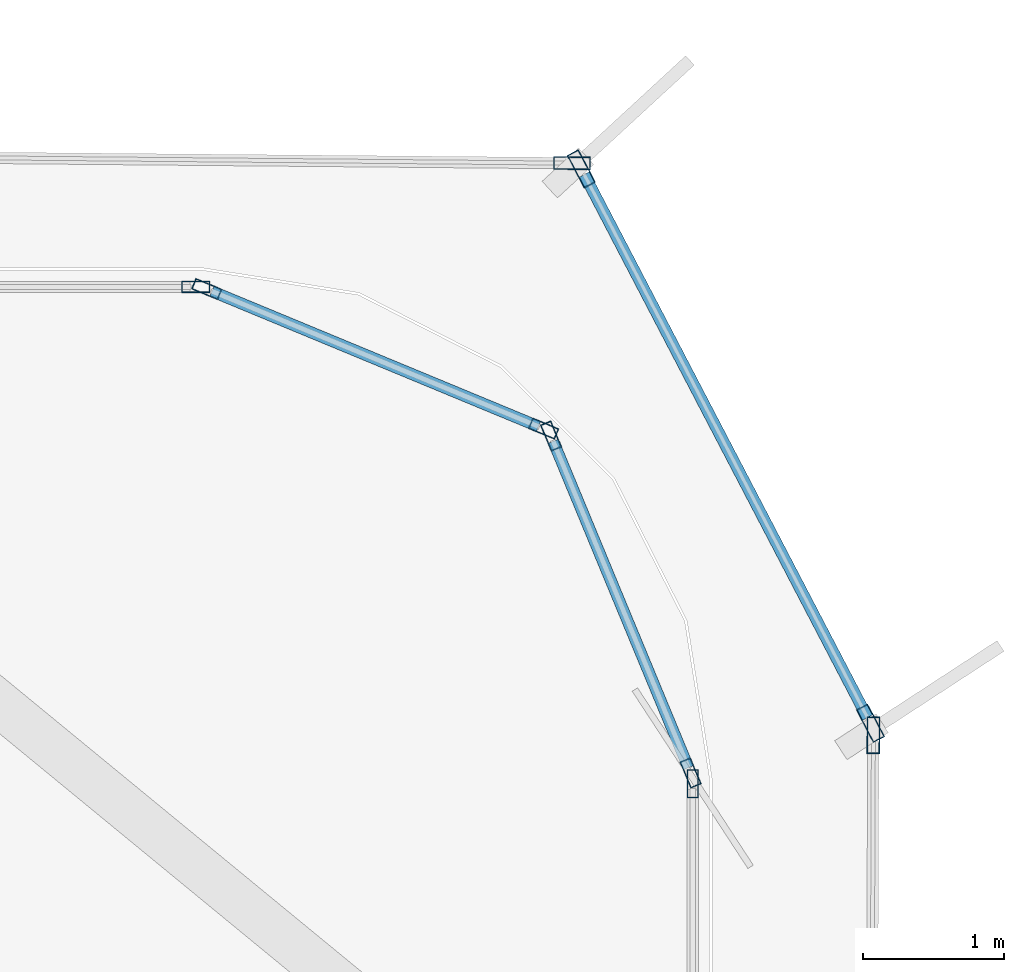
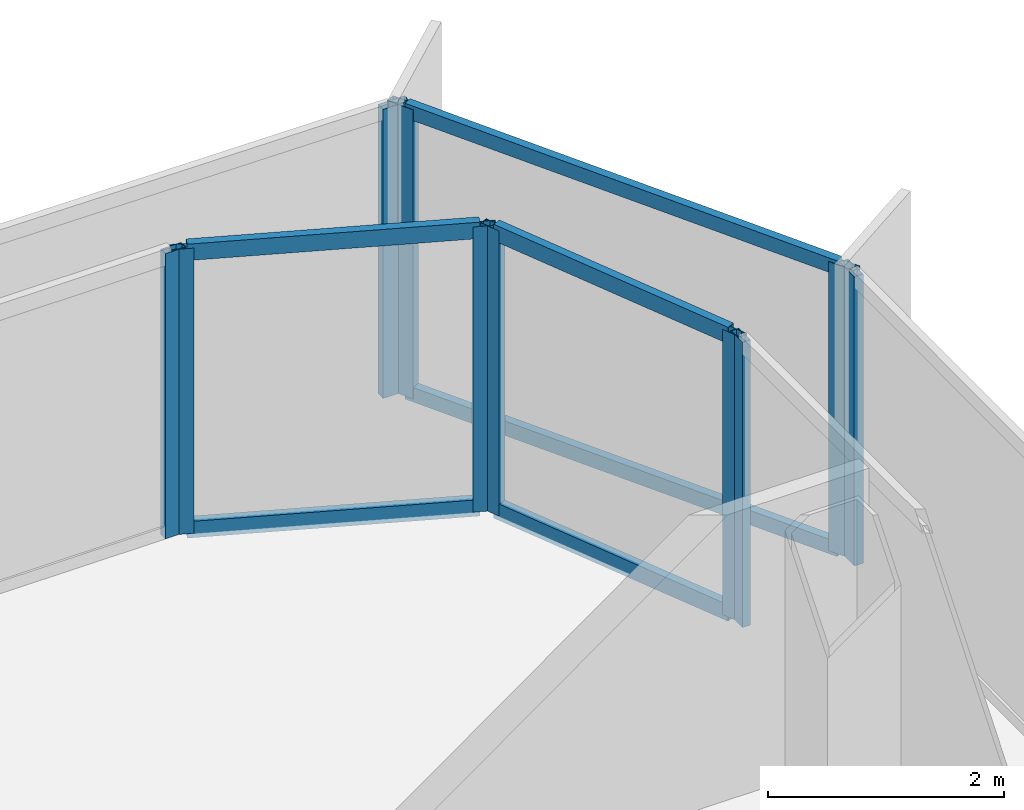
# One storey, part 8 of 15: 16 members, 7 elements without a shape of their own.
"""IFC4 building model written with IfcOpenShell, lengths in metres."""

from ifc_helpers import new_model, si_unit, direction, frame, origin, origin_2d, place, context, subcontext, project, spatial, hollow_rectangle, extrude, source, transform, mapped, material, layer, layer_set, material_profile, profile_set, type_object, element, aggregate, save


model = new_model("IFC4")

# Units and contexts
model_context = context("Model", 3, precision=1e-05, world=origin(), true_north=direction((0.0, 1.0)))
body_context = subcontext(model_context, "Body", "Model", "MODEL_VIEW")
ifc_project = project(units=[si_unit("LENGTHUNIT", "METRE"), si_unit("AREAUNIT", "SQUARE_METRE"), si_unit("VOLUMEUNIT", "CUBIC_METRE"), si_unit("PLANEANGLEUNIT", "RADIAN"), si_unit("MASSUNIT", "GRAM", prefix="KILO")], contexts=[model_context])

# Site, building, storey
site_placement = place(None, origin())
site = spatial("IfcSite", under=ifc_project, at=site_placement, CompositionType="ELEMENT")
building_placement = place(site_placement, origin())
building = spatial("IfcBuilding", under=site, at=building_placement, Name="Kolveth Station Tower", CompositionType="ELEMENT")
storey_placement = place(building_placement, frame((0.0, 0.0, 181.699951171875)))
storey = spatial("IfcBuildingStorey", under=building, at=storey_placement, Name="L51", CompositionType="ELEMENT", Elevation=181.699951171875)

# Curtain wall, member
ifc_material_1 = material(Name="Aluminium 6063-T6 and low-E dark glass", Category="aluminium")
ifc_layer_1 = layer(ifc_material_1, 0.18994140625)
ifc_layer_set_1 = layer_set([ifc_layer_1], Name="Aluminium 6063-T6 and low-E dark glass")
curtain_wall_type_1 = type_object("IfcCurtainWallType", Name="CurtainWall_CW-Z2", PredefinedType="NOTDEFINED", material=ifc_layer_set_1)
curtain_wall_1_placement = place(storey_placement, origin())
curtain_wall_1 = element("IfcCurtainWall", 1, at=curtain_wall_1_placement, inside=storey, type_object=curtain_wall_type_1, Name="L51 Inner Thermal Curtain Wall 3", PredefinedType="NOTDEFINED")
ifc_material_2 = material(Name="Black anodized aluminium 6063-T6", Category="aluminium")
ifc_material_profile_1 = material_profile(ifc_material_2, hollow_rectangle(XDim=0.080078125, YDim=0.199951171875, WallThickness=0.0048828125, at=origin_2d()), Name="ALU-80x200x5")
ifc_profile_set_1 = profile_set([ifc_material_profile_1], Name="Black anodized aluminium 6063-T6")
member_type_1 = type_object("IfcMemberType", Name="Mullion_ML2", PredefinedType="MULLION", material=ifc_profile_set_1)
shared_shape_1 = source(origin(), body_context, "Body", "SweptSolid", [
    extrude(hollow_rectangle(XDim=0.080078125, YDim=0.199951171875, WallThickness=0.0048828125, at=origin_2d()), origin(), (0.0, 0.0, 1.0), 2.949951171875),
])
member_1_placement = place(storey_placement, frame((41.679931640625, 31.659912109375, 0.0), z_axis=(0.0, 0.0, 1.0), x_axis=(-1.0, 0.0, 0.0)))
member_1 = element("IfcMember", 2, at=member_1_placement, type_object=member_type_1, Name="CW-Z2 mullion 2", PredefinedType="MULLION", context=body_context, shape_type="MappedRepresentation", body=[
    mapped(shared_shape_1, transform((0.0, 0.0, 0.0), x_axis=(1.0, 0.0, 0.0), y_axis=(0.0, 1.0, 0.0), z_axis=(0.0, 0.0, 1.0), scale=1.0)),
])
aggregate(curtain_wall_1, [member_1])

# Curtain wall, members
curtain_wall_2_placement = place(storey_placement, origin())
curtain_wall_2 = element("IfcCurtainWall", 3, at=curtain_wall_2_placement, inside=storey, type_object=curtain_wall_type_1, Name="L51 Inner Thermal Curtain Wall 4", PredefinedType="NOTDEFINED")
member_2_placement = place(storey_placement, frame((41.664794921875, 31.737060546875, 0.0), z_axis=(0.0, 0.0, 1.0), x_axis=(-0.923873600544, -0.382697753087, 0.0)))
member_2 = element("IfcMember", 4, at=member_2_placement, type_object=member_type_1, Name="CW-Z2 mullion 1", PredefinedType="MULLION", context=body_context, shape_type="MappedRepresentation", body=[
    mapped(shared_shape_1, transform((0.0, 0.0, 0.0), x_axis=(1.0, 0.0, 0.0), y_axis=(0.0, 1.0, 0.0), z_axis=(0.0, 0.0, 1.0), scale=1.0)),
])
member_3_placement = place(storey_placement, frame((40.676025390625, 34.123779296875, 0.0), z_axis=(0.0, 0.0, 1.0), x_axis=(-0.923873600544, -0.382697753087, 0.0)))
member_3 = element("IfcMember", 5, at=member_3_placement, type_object=member_type_1, Name="CW-Z2 mullion 2", PredefinedType="MULLION", context=body_context, shape_type="MappedRepresentation", body=[
    mapped(shared_shape_1, transform((0.0, 0.0, 0.0), x_axis=(1.0, 0.0, 0.0), y_axis=(0.0, 1.0, 0.0), z_axis=(0.0, 0.0, 1.0), scale=1.0)),
])

curtain_wall_3_placement = place(storey_placement, origin())
curtain_wall_3 = element("IfcCurtainWall", 6, at=curtain_wall_3_placement, inside=storey, type_object=curtain_wall_type_1, Name="L51 Inner Thermal Curtain Wall 5", PredefinedType="NOTDEFINED")
member_4_placement = place(storey_placement, frame((40.623779296875, 34.176025390625, 0.0), z_axis=(0.0, 0.0, 1.0), x_axis=(-0.382697753087, -0.923873600544, 0.0)))
member_4 = element("IfcMember", 7, at=member_4_placement, type_object=member_type_1, Name="CW-Z2 mullion 1", PredefinedType="MULLION", context=body_context, shape_type="MappedRepresentation", body=[
    mapped(shared_shape_1, transform((0.0, 0.0, 0.0), x_axis=(1.0, 0.0, 0.0), y_axis=(0.0, 1.0, 0.0), z_axis=(0.0, 0.0, 1.0), scale=1.0)),
])
member_5_placement = place(storey_placement, frame((38.237060546875, 35.164794921875, 0.0), z_axis=(0.0, 0.0, 1.0), x_axis=(-0.382697753087, -0.923873600544, 0.0)))
member_5 = element("IfcMember", 8, at=member_5_placement, type_object=member_type_1, Name="CW-Z2 mullion 2", PredefinedType="MULLION", context=body_context, shape_type="MappedRepresentation", body=[
    mapped(shared_shape_1, transform((0.0, 0.0, 0.0), x_axis=(1.0, 0.0, 0.0), y_axis=(0.0, 1.0, 0.0), z_axis=(0.0, 0.0, 1.0), scale=1.0)),
])

# Curtain wall, member
curtain_wall_4_placement = place(storey_placement, origin())
curtain_wall_4 = element("IfcCurtainWall", 9, at=curtain_wall_4_placement, inside=storey, type_object=curtain_wall_type_1, Name="L51 Inner Thermal Curtain Wall 6", PredefinedType="NOTDEFINED")
member_6_placement = place(storey_placement, frame((38.159912109375, 35.179931640625, 0.0), z_axis=(0.0, 0.0, 1.0), x_axis=(0.0, -1.0, 0.0)))
member_6 = element("IfcMember", 10, at=member_6_placement, type_object=member_type_1, Name="CW-Z2 mullion 1", PredefinedType="MULLION", context=body_context, shape_type="MappedRepresentation", body=[
    mapped(shared_shape_1, transform((0.0, 0.0, 0.0), x_axis=(1.0, 0.0, 0.0), y_axis=(0.0, 1.0, 0.0), z_axis=(0.0, 0.0, 1.0), scale=1.0)),
])
aggregate(curtain_wall_4, [member_6])

ifc_material_3 = material(Name="Black anodized aluminium 6063-T6 and dark solar glass", Category="aluminium")
ifc_layer_2 = layer(ifc_material_3, 0.159912109375)
ifc_layer_set_2 = layer_set([ifc_layer_2], Name="Black anodized aluminium 6063-T6 and dark solar glass")
curtain_wall_type_2 = type_object("IfcCurtainWallType", Name="OUTER SKIN CW-OS", PredefinedType="NOTDEFINED", material=ifc_layer_set_2)
curtain_wall_5_placement = place(storey_placement, origin())
curtain_wall_5 = element("IfcCurtainWall", 11, at=curtain_wall_5_placement, inside=storey, type_object=curtain_wall_type_2, Name="L51 Outer Ventilated Skin Curtain Wall 2", PredefinedType="NOTDEFINED")
ifc_material_profile_2 = material_profile(ifc_material_2, hollow_rectangle(XDim=0.090087890625, YDim=0.260009765625, WallThickness=0.0048828125, at=origin_2d()), Name="ALU-90x260x5")
ifc_profile_set_2 = profile_set([ifc_material_profile_2], Name="Black anodized aluminium 6063-T6")
member_type_2 = type_object("IfcMemberType", Name="FIN MULLION ML-OS", PredefinedType="MULLION", material=ifc_profile_set_2)
shared_shape_2 = source(origin(), body_context, "Body", "SweptSolid", [
    extrude(hollow_rectangle(XDim=0.090087890625, YDim=0.260009765625, WallThickness=0.0048828125, at=origin_2d()), origin(), (0.0, 0.0, 1.0), 2.989990234375),
])
member_7_placement = place(storey_placement, frame((42.95947265625, 32.004150390625, 0.0), z_axis=(0.0, 0.0, 1.0), x_axis=(-0.999992034681, 0.003991312288, 0.0)))
member_7 = element("IfcMember", 12, at=member_7_placement, type_object=member_type_2, Name="CW-OS mullion 2", PredefinedType="MULLION", context=body_context, shape_type="MappedRepresentation", body=[
    mapped(shared_shape_2, transform((0.0, 0.0, 0.0), x_axis=(1.0, 0.0, 0.0), y_axis=(0.0, 1.0, 0.0), z_axis=(0.0, 0.0, 1.0), scale=1.0)),
])
aggregate(curtain_wall_5, [member_7])

# Curtain wall, members
curtain_wall_6_placement = place(storey_placement, origin())
curtain_wall_6 = element("IfcCurtainWall", 13, at=curtain_wall_6_placement, inside=storey, type_object=curtain_wall_type_2, Name="L51 Outer Ventilated Skin Curtain Wall 3", PredefinedType="NOTDEFINED")
member_8_placement = place(storey_placement, frame((42.93896484375, 32.089111328125, 0.0), z_axis=(0.0, 0.0, 1.0), x_axis=(-0.886662953078, -0.462416270951, 0.0)))
member_8 = element("IfcMember", 14, at=member_8_placement, type_object=member_type_2, Name="CW-OS mullion 1", PredefinedType="MULLION", context=body_context, shape_type="MappedRepresentation", body=[
    mapped(shared_shape_2, transform((0.0, 0.0, 0.0), x_axis=(1.0, 0.0, 0.0), y_axis=(0.0, 1.0, 0.0), z_axis=(0.0, 0.0, 1.0), scale=1.0)),
])
member_9_placement = place(storey_placement, frame((40.890625, 36.016357421875, 0.0), z_axis=(0.0, 0.0, 1.0), x_axis=(-0.886662953078, -0.462416270951, 0.0)))
member_9 = element("IfcMember", 15, at=member_9_placement, type_object=member_type_2, Name="CW-OS mullion 2", PredefinedType="MULLION", context=body_context, shape_type="MappedRepresentation", body=[
    mapped(shared_shape_2, transform((0.0, 0.0, 0.0), x_axis=(1.0, 0.0, 0.0), y_axis=(0.0, 1.0, 0.0), z_axis=(0.0, 0.0, 1.0), scale=1.0)),
])

# Curtain wall, member
curtain_wall_7_placement = place(storey_placement, origin())
curtain_wall_7 = element("IfcCurtainWall", 16, at=curtain_wall_7_placement, inside=storey, type_object=curtain_wall_type_2, Name="L51 Outer Ventilated Skin Curtain Wall 4", PredefinedType="NOTDEFINED")
member_10_placement = place(storey_placement, frame((40.824951171875, 36.056640625, 0.0), z_axis=(0.0, 0.0, 1.0), x_axis=(-0.009075962941, -0.9999588126, 0.0)))
member_10 = element("IfcMember", 17, at=member_10_placement, type_object=member_type_2, Name="CW-OS mullion 1", PredefinedType="MULLION", context=body_context, shape_type="MappedRepresentation", body=[
    mapped(shared_shape_2, transform((0.0, 0.0, 0.0), x_axis=(1.0, 0.0, 0.0), y_axis=(0.0, 1.0, 0.0), z_axis=(0.0, 0.0, 1.0), scale=1.0)),
])
aggregate(curtain_wall_7, [member_10])

# Member
ifc_material_profile_3 = material_profile(ifc_material_2, hollow_rectangle(XDim=0.080078125, YDim=0.169921875, WallThickness=0.0048828125, at=origin_2d()), Name="ALU-80x170x5")
ifc_profile_set_3 = profile_set([ifc_material_profile_3], Name="Black anodized aluminium 6063-T6")
member_type_3 = type_object("IfcMemberType", Name="Transom_TR2", PredefinedType="USERDEFINED", material=ifc_profile_set_3)
shared_shape_3 = source(origin(), body_context, "Body", "SweptSolid", [
    extrude(hollow_rectangle(XDim=0.080078125, YDim=0.169921875, WallThickness=0.0048828125, at=origin_2d()), origin(), (0.0, 0.0, 1.0), 2.50341796875),
])
member_11_placement = place(storey_placement, frame((41.6494140625, 31.77392578125, 0.0400390625), z_axis=(-0.382696328882, 0.923874190494, 0.0), x_axis=(-0.923874190494, -0.382696328882, 0.0)))
member_11 = element("IfcMember", 18, at=member_11_placement, type_object=member_type_3, Name="CW-Z2 transom 1.1", ObjectType="TRANSOM", PredefinedType="USERDEFINED", context=body_context, shape_type="MappedRepresentation", body=[
    mapped(shared_shape_3, transform((0.0, 0.0, 0.0), x_axis=(1.0, 0.0, 0.0), y_axis=(0.0, 1.0, 0.0), z_axis=(0.0, 0.0, 1.0), scale=1.0)),
])

member_12_placement = place(storey_placement, frame((41.6494140625, 31.77392578125, 2.91015625), z_axis=(-0.382696328882, 0.923874190494, 0.0), x_axis=(-0.923874190494, -0.382696328882, 0.0)))
member_12 = element("IfcMember", 19, at=member_12_placement, type_object=member_type_3, Name="CW-Z2 transom 1.2", ObjectType="TRANSOM", PredefinedType="USERDEFINED", context=body_context, shape_type="MappedRepresentation", body=[
    mapped(shared_shape_3, transform((0.0, 0.0, 0.0), x_axis=(1.0, 0.0, 0.0), y_axis=(0.0, 1.0, 0.0), z_axis=(0.0, 0.0, 1.0), scale=1.0)),
])

aggregate(curtain_wall_2, [member_2, member_3, member_11, member_12])

member_13_placement = place(storey_placement, frame((40.586669921875, 34.19140625, 0.0400390625), z_axis=(-0.923874190494, 0.382696328882, 0.0), x_axis=(-0.382696328882, -0.923874190494, 0.0)))
member_13 = element("IfcMember", 20, at=member_13_placement, type_object=member_type_3, Name="CW-Z2 transom 1.1", ObjectType="TRANSOM", PredefinedType="USERDEFINED", context=body_context, shape_type="MappedRepresentation", body=[
    mapped(shared_shape_3, transform((0.0, 0.0, 0.0), x_axis=(1.0, 0.0, 0.0), y_axis=(0.0, 1.0, 0.0), z_axis=(0.0, 0.0, 1.0), scale=1.0)),
])

member_14_placement = place(storey_placement, frame((40.586669921875, 34.19140625, 2.91015625), z_axis=(-0.923874190494, 0.382696328882, 0.0), x_axis=(-0.382696328882, -0.923874190494, 0.0)))
member_14 = element("IfcMember", 21, at=member_14_placement, type_object=member_type_3, Name="CW-Z2 transom 1.2", ObjectType="TRANSOM", PredefinedType="USERDEFINED", context=body_context, shape_type="MappedRepresentation", body=[
    mapped(shared_shape_3, transform((0.0, 0.0, 0.0), x_axis=(1.0, 0.0, 0.0), y_axis=(0.0, 1.0, 0.0), z_axis=(0.0, 0.0, 1.0), scale=1.0)),
])

aggregate(curtain_wall_3, [member_4, member_5, member_13, member_14])

ifc_material_profile_4 = material_profile(ifc_material_2, hollow_rectangle(XDim=0.080078125, YDim=0.14990234375, WallThickness=0.0048828125, at=origin_2d()), Name="ALU-80x150x5")
ifc_profile_set_4 = profile_set([ifc_material_profile_4], Name="Black anodized aluminium 6063-T6")
member_type_4 = type_object("IfcMemberType", Name="Transom_TR-OS", PredefinedType="USERDEFINED", material=ifc_profile_set_4)
shared_shape_4 = source(origin(), body_context, "Body", "SweptSolid", [
    extrude(hollow_rectangle(XDim=0.080078125, YDim=0.14990234375, WallThickness=0.0048828125, at=origin_2d()), origin(), (0.0, 0.0, 1.0), 4.339111328125),
])
member_15_placement = place(storey_placement, frame((42.91796875, 32.12890625, 0.0400390625), z_axis=(-0.462385247019, 0.886679132121, 0.0), x_axis=(-0.886679132121, -0.462385247019, 0.0)))
member_15 = element("IfcMember", 22, at=member_15_placement, type_object=member_type_4, Name="CW-OS transom 1.1", ObjectType="TRANSOM", PredefinedType="USERDEFINED", context=body_context, shape_type="MappedRepresentation", body=[
    mapped(shared_shape_4, transform((0.0, 0.0, 0.0), x_axis=(1.0, 0.0, 0.0), y_axis=(0.0, 1.0, 0.0), z_axis=(0.0, 0.0, 1.0), scale=1.0)),
])

member_16_placement = place(storey_placement, frame((42.91796875, 32.12890625, 2.949951171875), z_axis=(-0.462385247019, 0.886679132121, 0.0), x_axis=(-0.886679132121, -0.462385247019, 0.0)))
member_16 = element("IfcMember", 23, at=member_16_placement, type_object=member_type_4, Name="CW-OS transom 1.2", ObjectType="TRANSOM", PredefinedType="USERDEFINED", context=body_context, shape_type="MappedRepresentation", body=[
    mapped(shared_shape_4, transform((0.0, 0.0, 0.0), x_axis=(1.0, 0.0, 0.0), y_axis=(0.0, 1.0, 0.0), z_axis=(0.0, 0.0, 1.0), scale=1.0)),
])

aggregate(curtain_wall_6, [member_8, member_9, member_15, member_16])

save(model, "model.ifc")
